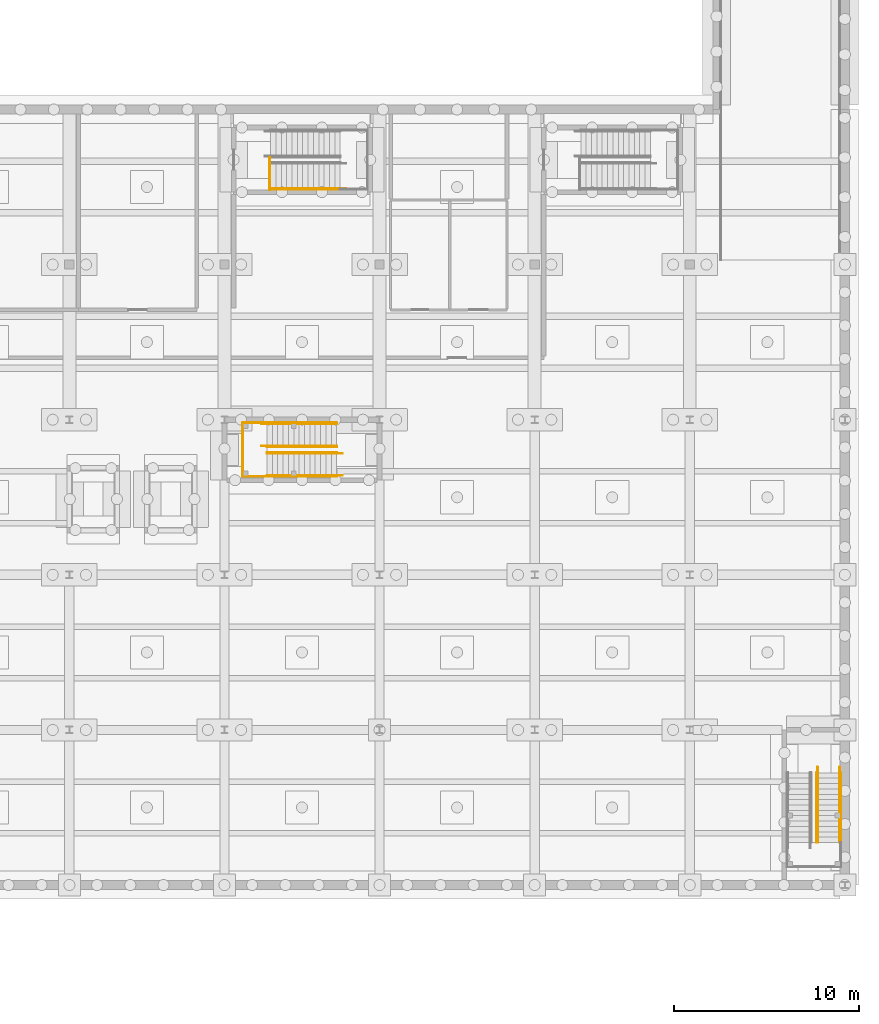
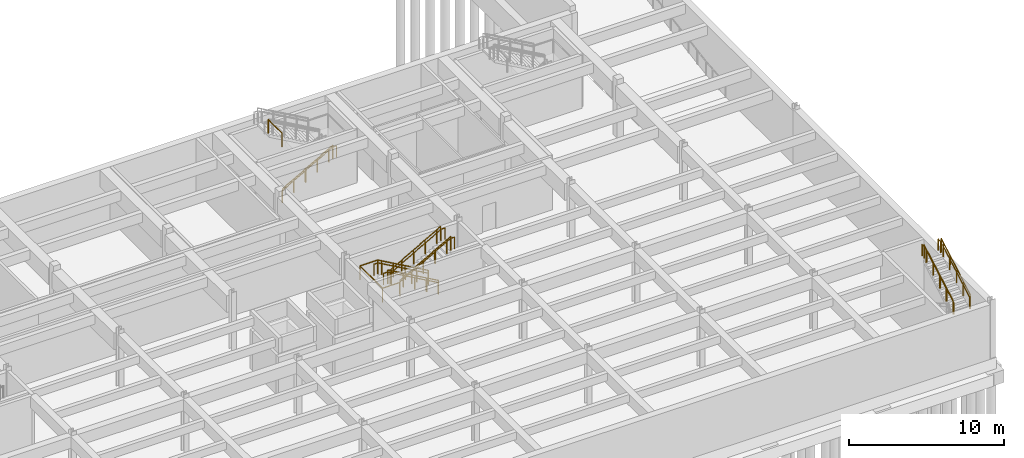
# One storey, part 30 of 33: 18 railings.
"""IFC4 building model written with IfcOpenShell, lengths in metres."""

from ifc_helpers import new_model, si_unit, direction, frame, origin, origin_2d, place, context, subcontext, project, spatial, circle, extrude, material, type_object, element, save


model = new_model("IFC4")

# Units and contexts
model_context = context("Model", 3, precision=1e-05, world=origin(), true_north=direction((0.0, 1.0)))
body_context = subcontext(model_context, "Body", "Model", "MODEL_VIEW")
ifc_project = project(units=[si_unit("LENGTHUNIT", "METRE"), si_unit("AREAUNIT", "SQUARE_METRE"), si_unit("VOLUMEUNIT", "CUBIC_METRE"), si_unit("PLANEANGLEUNIT", "RADIAN"), si_unit("MASSUNIT", "GRAM", prefix="KILO")], contexts=[model_context])

# Site, building, storey
site_placement = place(None, origin())
site = spatial("IfcSite", under=ifc_project, at=site_placement, CompositionType="ELEMENT")
building_placement = place(site_placement, origin())
building = spatial("IfcBuilding", under=site, at=building_placement, Name="Ljudholm Concert House", CompositionType="ELEMENT")
storey_placement = place(building_placement, frame((0.0, 0.0, -4.60009765625)))
storey = spatial("IfcBuildingStorey", under=building, at=storey_placement, Name="B1", CompositionType="ELEMENT", Elevation=-4.60009765625)

# Railings
ifc_material_1 = material(Name="Steel ASTM A36", Category="steel")
railing_type_1 = type_object("IfcRailingType", Name="GUARD 1100", PredefinedType="GUARDRAIL", material=ifc_material_1)
railing_1_placement = place(storey_placement, frame((90.5, 142.47509765625, 0.164306640625)))
element("IfcRailing", 1, at=railing_1_placement, inside=storey, type_object=railing_type_1, Name="Guard", PredefinedType="GUARDRAIL", context=body_context, shape_type="SweptSolid", body=[
    extrude(circle(Radius=0.02490234375, at=origin_2d()), frame((0.0, 0.0, 1.0751953125), z_axis=(0.870085008278, 0.0, 0.4929016924), x_axis=(0.0, 1.0, 0.0)), (0.0, 0.0, 1.0), 1.0),
    extrude(circle(Radius=0.02490234375, at=origin_2d()), frame((0.8701171875, 0.0, 1.56787109375), z_axis=(0.870025677096, 0.0, 0.493006410906), x_axis=(0.0, 1.0, 0.0)), (0.0, 0.0, 1.0), 0.999755859375),
    extrude(circle(Radius=0.02490234375, at=origin_2d()), frame((1.739990234375, 0.0, 2.06103515625), z_axis=(0.870085008278, 0.0, 0.4929016924), x_axis=(0.0, 1.0, 0.0)), (0.0, 0.0, 1.0), 1.0),
    extrude(circle(Radius=0.02490234375, at=origin_2d()), frame((2.610107421875, 0.0, 2.5537109375), z_axis=(0.870130407247, 0.0, 0.492821544155), x_axis=(0.0, 1.0, 0.0)), (0.0, 0.0, 1.0), 0.999755859375),
    extrude(circle(Radius=0.02490234375, at=origin_2d()), frame((3.47998046875, 0.0, 3.04638671875), z_axis=(0.870085008278, 0.0, 0.4929016924), x_axis=(0.0, 1.0, 0.0)), (0.0, 0.0, 1.0), 0.333251953125),
    extrude(circle(Radius=0.02099609375, at=origin_2d()), origin(), (0.0, 0.0, 1.0), 1.050048828125),
    extrude(circle(Radius=0.02099609375, at=origin_2d()), frame((0.8701171875, 0.0, 0.492919921875)), (0.0, 0.0, 1.0), 1.050048828125),
    extrude(circle(Radius=0.02099609375, at=origin_2d()), frame((1.739990234375, 0.0, 0.98583984375)), (0.0, 0.0, 1.0), 1.050048828125),
    extrude(circle(Radius=0.02099609375, at=origin_2d()), frame((2.610107421875, 0.0, 1.478759765625)), (0.0, 0.0, 1.0), 1.050048828125),
    extrude(circle(Radius=0.02099609375, at=origin_2d()), frame((3.47998046875, 0.0, 1.971435546875)), (0.0, 0.0, 1.0), 1.050048828125),
    extrude(circle(Radius=0.02099609375, at=origin_2d()), frame((3.77001953125, 0.0, 2.1357421875)), (0.0, 0.0, 1.0), 1.050048828125),
])
railing_2_placement = place(storey_placement, frame((90.449951171875, 142.449951171875, 4.60009765625)))
element("IfcRailing", 2, at=railing_2_placement, inside=storey, type_object=railing_type_1, Name="Guard", PredefinedType="GUARDRAIL", context=body_context, shape_type="SweptSolid", body=[
    extrude(circle(Radius=0.02490234375, at=origin_2d()), frame((0.0, 0.0, 1.0751953125), z_axis=(0.0, 1.0, 0.0), x_axis=(-1.0, 0.0, 0.0)), (0.0, 0.0, 1.0), 1.75),
    extrude(circle(Radius=0.02099609375, at=origin_2d()), origin(), (0.0, 0.0, 1.0), 1.050048828125),
    extrude(circle(Radius=0.02099609375, at=origin_2d()), frame((0.0, 1.75, 0.0)), (0.0, 0.0, 1.0), 1.050048828125),
])
railing_3_placement = place(storey_placement, frame((94.074951171875, 128.52490234375, 0.164306640625)))
element("IfcRailing", 3, at=railing_3_placement, inside=storey, type_object=railing_type_1, Name="Guard", PredefinedType="GUARDRAIL", context=body_context, shape_type="SweptSolid", body=[
    extrude(circle(Radius=0.02490234375, at=origin_2d()), frame((0.0, 0.0, 1.0751953125), z_axis=(-0.870025677096, 0.0, 0.493006410906), x_axis=(0.0, -1.0, 0.0)), (0.0, 0.0, 1.0), 0.999755859375),
    extrude(circle(Radius=0.02490234375, at=origin_2d()), frame((-0.869873046875, 0.0, 1.56787109375), z_axis=(-0.870085008278, 0.0, 0.4929016924), x_axis=(0.0, -1.0, 0.0)), (0.0, 0.0, 1.0), 1.0),
    extrude(circle(Radius=0.02490234375, at=origin_2d()), frame((-1.739990234375, 0.0, 2.06103515625), z_axis=(-0.870025677096, 0.0, 0.493006410906), x_axis=(0.0, -1.0, 0.0)), (0.0, 0.0, 1.0), 0.999755859375),
    extrude(circle(Radius=0.02490234375, at=origin_2d()), frame((-2.60986328125, 0.0, 2.5537109375), z_axis=(-0.870189701074, 0.0, 0.492716839721), x_axis=(0.0, -1.0, 0.0)), (0.0, 0.0, 1.0), 1.0),
    extrude(circle(Radius=0.02490234375, at=origin_2d()), frame((-3.47998046875, 0.0, 3.04638671875), z_axis=(-0.870085008278, 0.0, 0.4929016924), x_axis=(0.0, -1.0, 0.0)), (0.0, 0.0, 1.0), 0.333251953125),
    extrude(circle(Radius=0.02099609375, at=origin_2d()), origin(), (0.0, 0.0, 1.0), 1.050048828125),
    extrude(circle(Radius=0.02099609375, at=origin_2d()), frame((-0.869873046875, 0.0, 0.492919921875)), (0.0, 0.0, 1.0), 1.050048828125),
    extrude(circle(Radius=0.02099609375, at=origin_2d()), frame((-1.739990234375, 0.0, 0.98583984375)), (0.0, 0.0, 1.0), 1.050048828125),
    extrude(circle(Radius=0.02099609375, at=origin_2d()), frame((-2.60986328125, 0.0, 1.478759765625)), (0.0, 0.0, 1.0), 1.050048828125),
    extrude(circle(Radius=0.02099609375, at=origin_2d()), frame((-3.47998046875, 0.0, 1.971435546875)), (0.0, 0.0, 1.0), 1.050048828125),
    extrude(circle(Radius=0.02099609375, at=origin_2d()), frame((-3.77001953125, 0.0, 2.1357421875)), (0.0, 0.0, 1.0), 1.050048828125),
])
railing_4_placement = place(storey_placement, frame((94.074951171875, 129.824951171875, 0.164306640625)))
element("IfcRailing", 4, at=railing_4_placement, inside=storey, type_object=railing_type_1, Name="Guard", PredefinedType="GUARDRAIL", context=body_context, shape_type="SweptSolid", body=[
    extrude(circle(Radius=0.02490234375, at=origin_2d()), frame((0.0, 0.0, 1.0751953125), z_axis=(-0.870025677096, 0.0, 0.493006410906), x_axis=(0.0, -1.0, 0.0)), (0.0, 0.0, 1.0), 0.999755859375),
    extrude(circle(Radius=0.02490234375, at=origin_2d()), frame((-0.869873046875, 0.0, 1.56787109375), z_axis=(-0.870085008278, 0.0, 0.4929016924), x_axis=(0.0, -1.0, 0.0)), (0.0, 0.0, 1.0), 1.0),
    extrude(circle(Radius=0.02490234375, at=origin_2d()), frame((-1.739990234375, 0.0, 2.06103515625), z_axis=(-0.870025677096, 0.0, 0.493006410906), x_axis=(0.0, -1.0, 0.0)), (0.0, 0.0, 1.0), 0.999755859375),
    extrude(circle(Radius=0.02490234375, at=origin_2d()), frame((-2.60986328125, 0.0, 2.5537109375), z_axis=(-0.870189701074, 0.0, 0.492716839721), x_axis=(0.0, -1.0, 0.0)), (0.0, 0.0, 1.0), 1.0),
    extrude(circle(Radius=0.02490234375, at=origin_2d()), frame((-3.47998046875, 0.0, 3.04638671875), z_axis=(-0.870085008278, 0.0, 0.4929016924), x_axis=(0.0, -1.0, 0.0)), (0.0, 0.0, 1.0), 0.333251953125),
    extrude(circle(Radius=0.02099609375, at=origin_2d()), origin(), (0.0, 0.0, 1.0), 1.050048828125),
    extrude(circle(Radius=0.02099609375, at=origin_2d()), frame((-0.869873046875, 0.0, 0.492919921875)), (0.0, 0.0, 1.0), 1.050048828125),
    extrude(circle(Radius=0.02099609375, at=origin_2d()), frame((-1.739990234375, 0.0, 0.98583984375)), (0.0, 0.0, 1.0), 1.050048828125),
    extrude(circle(Radius=0.02099609375, at=origin_2d()), frame((-2.60986328125, 0.0, 1.478759765625)), (0.0, 0.0, 1.0), 1.050048828125),
    extrude(circle(Radius=0.02099609375, at=origin_2d()), frame((-3.47998046875, 0.0, 1.971435546875)), (0.0, 0.0, 1.0), 1.050048828125),
    extrude(circle(Radius=0.02099609375, at=origin_2d()), frame((-3.77001953125, 0.0, 2.1357421875)), (0.0, 0.0, 1.0), 1.050048828125),
])
railing_5_placement = place(storey_placement, frame((90.304931640625, 128.22509765625, 2.46435546875)))
element("IfcRailing", 5, at=railing_5_placement, inside=storey, type_object=railing_type_1, Name="Guard", PredefinedType="GUARDRAIL", context=body_context, shape_type="SweptSolid", body=[
    extrude(circle(Radius=0.02490234375, at=origin_2d()), frame((0.0, 0.0, 1.0751953125), z_axis=(0.870085008278, 0.0, 0.4929016924), x_axis=(0.0, 1.0, 0.0)), (0.0, 0.0, 1.0), 1.0),
    extrude(circle(Radius=0.02490234375, at=origin_2d()), frame((0.8701171875, 0.0, 1.56787109375), z_axis=(0.870025677096, 0.0, 0.493006410906), x_axis=(0.0, 1.0, 0.0)), (0.0, 0.0, 1.0), 0.999755859375),
    extrude(circle(Radius=0.02490234375, at=origin_2d()), frame((1.739990234375, 0.0, 2.06103515625), z_axis=(0.870189701074, 0.0, 0.492716839721), x_axis=(0.0, 1.0, 0.0)), (0.0, 0.0, 1.0), 1.0),
    extrude(circle(Radius=0.02490234375, at=origin_2d()), frame((2.610107421875, 0.0, 2.5537109375), z_axis=(0.870025677096, 0.0, 0.493006410906), x_axis=(0.0, 1.0, 0.0)), (0.0, 0.0, 1.0), 0.999755859375),
    extrude(circle(Radius=0.02490234375, at=origin_2d()), frame((3.47998046875, 0.0, 3.04638671875), z_axis=(0.870085008278, 0.0, 0.4929016924), x_axis=(0.0, 1.0, 0.0)), (0.0, 0.0, 1.0), 0.333251953125),
    extrude(circle(Radius=0.02099609375, at=origin_2d()), origin(), (0.0, 0.0, 1.0), 1.050048828125),
    extrude(circle(Radius=0.02099609375, at=origin_2d()), frame((0.8701171875, 0.0, 0.492919921875)), (0.0, 0.0, 1.0), 1.050048828125),
    extrude(circle(Radius=0.02099609375, at=origin_2d()), frame((1.739990234375, 0.0, 0.98583984375)), (0.0, 0.0, 1.0), 1.050048828125),
    extrude(circle(Radius=0.02099609375, at=origin_2d()), frame((2.610107421875, 0.0, 1.478515625)), (0.0, 0.0, 1.0), 1.050048828125),
    extrude(circle(Radius=0.02099609375, at=origin_2d()), frame((3.47998046875, 0.0, 1.971435546875)), (0.0, 0.0, 1.0), 1.050048828125),
    extrude(circle(Radius=0.02099609375, at=origin_2d()), frame((3.77001953125, 0.0, 2.1357421875)), (0.0, 0.0, 1.0), 1.050048828125),
])
railing_6_placement = place(storey_placement, frame((90.304931640625, 126.925048828125, 2.46435546875)))
element("IfcRailing", 6, at=railing_6_placement, inside=storey, type_object=railing_type_1, Name="Guard", PredefinedType="GUARDRAIL", context=body_context, shape_type="SweptSolid", body=[
    extrude(circle(Radius=0.02490234375, at=origin_2d()), frame((0.0, 0.0, 1.0751953125), z_axis=(0.870085008278, 0.0, 0.4929016924), x_axis=(0.0, 1.0, 0.0)), (0.0, 0.0, 1.0), 1.0),
    extrude(circle(Radius=0.02490234375, at=origin_2d()), frame((0.8701171875, 0.0, 1.56787109375), z_axis=(0.870025677096, 0.0, 0.493006410906), x_axis=(0.0, 1.0, 0.0)), (0.0, 0.0, 1.0), 0.999755859375),
    extrude(circle(Radius=0.02490234375, at=origin_2d()), frame((1.739990234375, 0.0, 2.06103515625), z_axis=(0.870189701074, 0.0, 0.492716839721), x_axis=(0.0, 1.0, 0.0)), (0.0, 0.0, 1.0), 1.0),
    extrude(circle(Radius=0.02490234375, at=origin_2d()), frame((2.610107421875, 0.0, 2.5537109375), z_axis=(0.870025677096, 0.0, 0.493006410906), x_axis=(0.0, 1.0, 0.0)), (0.0, 0.0, 1.0), 0.999755859375),
    extrude(circle(Radius=0.02490234375, at=origin_2d()), frame((3.47998046875, 0.0, 3.04638671875), z_axis=(0.870085008278, 0.0, 0.4929016924), x_axis=(0.0, 1.0, 0.0)), (0.0, 0.0, 1.0), 0.333251953125),
    extrude(circle(Radius=0.02099609375, at=origin_2d()), origin(), (0.0, 0.0, 1.0), 1.050048828125),
    extrude(circle(Radius=0.02099609375, at=origin_2d()), frame((0.8701171875, 0.0, 0.492919921875)), (0.0, 0.0, 1.0), 1.050048828125),
    extrude(circle(Radius=0.02099609375, at=origin_2d()), frame((1.739990234375, 0.0, 0.98583984375)), (0.0, 0.0, 1.0), 1.050048828125),
    extrude(circle(Radius=0.02099609375, at=origin_2d()), frame((2.610107421875, 0.0, 1.478515625)), (0.0, 0.0, 1.0), 1.050048828125),
    extrude(circle(Radius=0.02099609375, at=origin_2d()), frame((3.47998046875, 0.0, 1.971435546875)), (0.0, 0.0, 1.0), 1.050048828125),
    extrude(circle(Radius=0.02099609375, at=origin_2d()), frame((3.77001953125, 0.0, 2.1357421875)), (0.0, 0.0, 1.0), 1.050048828125),
])
for number, where, name in (
    (7, (90.304931640625, 129.824951171875, 2.300048828125), "Guard"),
    (8, (90.304931640625, 126.925048828125, 2.300048828125), "Guard"),
):
    element("IfcRailing", number, at=place(storey_placement, frame(where)), inside=storey, type_object=railing_type_1, Name=name, PredefinedType="GUARDRAIL", context=body_context, shape_type="SweptSolid", body=[
        extrude(circle(Radius=0.02490234375, at=origin_2d()), frame((0.0, 0.0, 1.0751953125), z_axis=(-1.0, 0.0, 0.0), x_axis=(0.0, -1.0, 0.0)), (0.0, 0.0, 1.0), 1.324951171875),
        extrude(circle(Radius=0.02099609375, at=origin_2d()), origin(), (0.0, 0.0, 1.0), 1.050048828125),
        extrude(circle(Radius=0.02099609375, at=origin_2d()), frame((-1.324951171875, 0.0, 0.0)), (0.0, 0.0, 1.0), 1.050048828125),
    ])
railing_7_placement = place(storey_placement, frame((88.97998046875, 129.824951171875, 2.300048828125)))
element("IfcRailing", 9, at=railing_7_placement, inside=storey, type_object=railing_type_1, Name="Guard", PredefinedType="GUARDRAIL", context=body_context, shape_type="SweptSolid", body=[
    extrude(circle(Radius=0.02490234375, at=origin_2d()), frame((0.0, 0.0, 1.0751953125), z_axis=(0.0, -1.0, 0.0), x_axis=(1.0, 0.0, 0.0)), (0.0, 0.0, 1.0), 2.89990234375),
    extrude(circle(Radius=0.02099609375, at=origin_2d()), origin(), (0.0, 0.0, 1.0), 1.050048828125),
    extrude(circle(Radius=0.02099609375, at=origin_2d()), frame((0.0, -2.89990234375, 0.0)), (0.0, 0.0, 1.0), 1.050048828125),
])
railing_8_placement = place(storey_placement, frame((120.074951171875, 107.10498046875, 2.46435546875)))
element("IfcRailing", 10, at=railing_8_placement, inside=storey, type_object=railing_type_1, Name="Guard", PredefinedType="GUARDRAIL", context=body_context, shape_type="SweptSolid", body=[
    extrude(circle(Radius=0.02490234375, at=origin_2d()), frame((0.0, 0.0, 1.0751953125), z_axis=(0.0, 0.870085008278, 0.4929016924), x_axis=(-1.0, 0.0, 0.0)), (0.0, 0.0, 1.0), 1.0),
    extrude(circle(Radius=0.02490234375, at=origin_2d()), frame((0.0, 0.8701171875, 1.56787109375), z_axis=(0.0, 0.870025677096, 0.493006410906), x_axis=(-1.0, 0.0, 0.0)), (0.0, 0.0, 1.0), 0.999755859375),
    extrude(circle(Radius=0.02490234375, at=origin_2d()), frame((0.0, 1.739990234375, 2.06103515625), z_axis=(0.0, 0.870189701074, 0.492716839721), x_axis=(-1.0, 0.0, 0.0)), (0.0, 0.0, 1.0), 1.0),
    extrude(circle(Radius=0.02490234375, at=origin_2d()), frame((0.0, 2.610107421875, 2.5537109375), z_axis=(0.0, 0.870025677096, 0.493006410906), x_axis=(-1.0, 0.0, 0.0)), (0.0, 0.0, 1.0), 0.999755859375),
    extrude(circle(Radius=0.02490234375, at=origin_2d()), frame((0.0, 3.47998046875, 3.04638671875), z_axis=(0.0, 0.870085008278, 0.4929016924), x_axis=(-1.0, 0.0, 0.0)), (0.0, 0.0, 1.0), 0.333251953125),
    extrude(circle(Radius=0.02099609375, at=origin_2d()), origin(), (0.0, 0.0, 1.0), 1.050048828125),
    extrude(circle(Radius=0.02099609375, at=origin_2d()), frame((0.0, 0.8701171875, 0.492919921875)), (0.0, 0.0, 1.0), 1.050048828125),
    extrude(circle(Radius=0.02099609375, at=origin_2d()), frame((0.0, 1.739990234375, 0.98583984375)), (0.0, 0.0, 1.0), 1.050048828125),
    extrude(circle(Radius=0.02099609375, at=origin_2d()), frame((0.0, 2.610107421875, 1.478515625)), (0.0, 0.0, 1.0), 1.050048828125),
    extrude(circle(Radius=0.02099609375, at=origin_2d()), frame((0.0, 3.47998046875, 1.971435546875)), (0.0, 0.0, 1.0), 1.050048828125),
    extrude(circle(Radius=0.02099609375, at=origin_2d()), frame((0.0, 3.77001953125, 2.1357421875)), (0.0, 0.0, 1.0), 1.050048828125),
])
railing_9_placement = place(storey_placement, frame((121.375, 107.10498046875, 2.46435546875)))
element("IfcRailing", 11, at=railing_9_placement, inside=storey, type_object=railing_type_1, Name="Guard", PredefinedType="GUARDRAIL", context=body_context, shape_type="SweptSolid", body=[
    extrude(circle(Radius=0.02490234375, at=origin_2d()), frame((0.0, 0.0, 1.0751953125), z_axis=(0.0, 0.870085008278, 0.4929016924), x_axis=(-1.0, 0.0, 0.0)), (0.0, 0.0, 1.0), 1.0),
    extrude(circle(Radius=0.02490234375, at=origin_2d()), frame((0.0, 0.8701171875, 1.56787109375), z_axis=(0.0, 0.870025677096, 0.493006410906), x_axis=(-1.0, 0.0, 0.0)), (0.0, 0.0, 1.0), 0.999755859375),
    extrude(circle(Radius=0.02490234375, at=origin_2d()), frame((0.0, 1.739990234375, 2.06103515625), z_axis=(0.0, 0.870189701074, 0.492716839721), x_axis=(-1.0, 0.0, 0.0)), (0.0, 0.0, 1.0), 1.0),
    extrude(circle(Radius=0.02490234375, at=origin_2d()), frame((0.0, 2.610107421875, 2.5537109375), z_axis=(0.0, 0.870025677096, 0.493006410906), x_axis=(-1.0, 0.0, 0.0)), (0.0, 0.0, 1.0), 0.999755859375),
    extrude(circle(Radius=0.02490234375, at=origin_2d()), frame((0.0, 3.47998046875, 3.04638671875), z_axis=(0.0, 0.870085008278, 0.4929016924), x_axis=(-1.0, 0.0, 0.0)), (0.0, 0.0, 1.0), 0.333251953125),
    extrude(circle(Radius=0.02099609375, at=origin_2d()), origin(), (0.0, 0.0, 1.0), 1.050048828125),
    extrude(circle(Radius=0.02099609375, at=origin_2d()), frame((0.0, 0.8701171875, 0.492919921875)), (0.0, 0.0, 1.0), 1.050048828125),
    extrude(circle(Radius=0.02099609375, at=origin_2d()), frame((0.0, 1.739990234375, 0.98583984375)), (0.0, 0.0, 1.0), 1.050048828125),
    extrude(circle(Radius=0.02099609375, at=origin_2d()), frame((0.0, 2.610107421875, 1.478515625)), (0.0, 0.0, 1.0), 1.050048828125),
    extrude(circle(Radius=0.02099609375, at=origin_2d()), frame((0.0, 3.47998046875, 1.971435546875)), (0.0, 0.0, 1.0), 1.050048828125),
    extrude(circle(Radius=0.02099609375, at=origin_2d()), frame((0.0, 3.77001953125, 2.1357421875)), (0.0, 0.0, 1.0), 1.050048828125),
])
ifc_material_2 = material(Name="Steel ASTM A36", Category="steel")
railing_type_2 = type_object("IfcRailingType", Name="HANDRAIL 900", PredefinedType="HANDRAIL", material=ifc_material_2)
railing_10_placement = place(storey_placement, frame((90.5, 142.52490234375, 0.164306640625)))
element("IfcRailing", 12, at=railing_10_placement, inside=storey, type_object=railing_type_2, Name="Handrail", PredefinedType="HANDRAIL", context=body_context, shape_type="SweptSolid", body=[
    extrude(circle(Radius=0.0224609375, at=origin_2d()), frame((0.0, 0.0, 0.87744140625), z_axis=(0.870085008278, 0.0, 0.4929016924), x_axis=(0.0, 1.0, 0.0)), (0.0, 0.0, 1.0), 1.0),
    extrude(circle(Radius=0.0224609375, at=origin_2d()), frame((0.8701171875, 0.0, 1.370361328125), z_axis=(0.870025677096, 0.0, 0.493006410906), x_axis=(0.0, 1.0, 0.0)), (0.0, 0.0, 1.0), 0.999755859375),
    extrude(circle(Radius=0.0224609375, at=origin_2d()), frame((1.739990234375, 0.0, 1.86328125), z_axis=(0.870085008278, 0.0, 0.4929016924), x_axis=(0.0, 1.0, 0.0)), (0.0, 0.0, 1.0), 1.0),
    extrude(circle(Radius=0.0224609375, at=origin_2d()), frame((2.610107421875, 0.0, 2.356201171875), z_axis=(0.870130407247, 0.0, 0.492821544155), x_axis=(0.0, 1.0, 0.0)), (0.0, 0.0, 1.0), 0.999755859375),
    extrude(circle(Radius=0.0224609375, at=origin_2d()), frame((3.47998046875, 0.0, 2.848876953125), z_axis=(0.870085008278, 0.0, 0.4929016924), x_axis=(0.0, 1.0, 0.0)), (0.0, 0.0, 1.0), 0.333251953125),
    extrude(circle(Radius=0.0224609375, at=origin_2d()), frame((3.77001953125, 0.0, 3.01318359375), z_axis=(1.0, 0.0, 0.0), x_axis=(0.0, 1.0, 0.0)), (0.0, 0.0, 1.0), 0.300048828125),
    extrude(circle(Radius=0.02099609375, at=origin_2d()), origin(), (0.0, 0.0, 1.0), 0.85498046875),
    extrude(circle(Radius=0.02099609375, at=origin_2d()), frame((0.8701171875, 0.0, 0.492919921875)), (0.0, 0.0, 1.0), 0.85498046875),
    extrude(circle(Radius=0.02099609375, at=origin_2d()), frame((1.739990234375, 0.0, 0.98583984375)), (0.0, 0.0, 1.0), 0.85498046875),
    extrude(circle(Radius=0.02099609375, at=origin_2d()), frame((2.610107421875, 0.0, 1.478759765625)), (0.0, 0.0, 1.0), 0.85498046875),
    extrude(circle(Radius=0.02099609375, at=origin_2d()), frame((3.47998046875, 0.0, 1.971435546875)), (0.0, 0.0, 1.0), 0.85498046875),
    extrude(circle(Radius=0.02099609375, at=origin_2d()), frame((3.77001953125, 0.0, 2.1357421875)), (0.0, 0.0, 1.0), 0.85498046875),
    extrude(circle(Radius=0.02099609375, at=origin_2d()), frame((4.070068359375, 0.0, 2.1357421875)), (0.0, 0.0, 1.0), 0.85498046875),
])
railing_11_placement = place(storey_placement, frame((94.074951171875, 128.574951171875, 0.164306640625)))
element("IfcRailing", 13, at=railing_11_placement, inside=storey, type_object=railing_type_2, Name="Handrail", PredefinedType="HANDRAIL", context=body_context, shape_type="SweptSolid", body=[
    extrude(circle(Radius=0.0224609375, at=origin_2d()), frame((0.0, 0.0, 0.87744140625), z_axis=(-0.870025677096, 0.0, 0.493006410906), x_axis=(0.0, -1.0, 0.0)), (0.0, 0.0, 1.0), 0.999755859375),
    extrude(circle(Radius=0.0224609375, at=origin_2d()), frame((-0.869873046875, 0.0, 1.370361328125), z_axis=(-0.870085008278, 0.0, 0.4929016924), x_axis=(0.0, -1.0, 0.0)), (0.0, 0.0, 1.0), 1.0),
    extrude(circle(Radius=0.0224609375, at=origin_2d()), frame((-1.739990234375, 0.0, 1.86328125), z_axis=(-0.870025677096, 0.0, 0.493006410906), x_axis=(0.0, -1.0, 0.0)), (0.0, 0.0, 1.0), 0.999755859375),
    extrude(circle(Radius=0.0224609375, at=origin_2d()), frame((-2.60986328125, 0.0, 2.356201171875), z_axis=(-0.870189701074, 0.0, 0.492716839721), x_axis=(0.0, -1.0, 0.0)), (0.0, 0.0, 1.0), 1.0),
    extrude(circle(Radius=0.0224609375, at=origin_2d()), frame((-3.47998046875, 0.0, 2.848876953125), z_axis=(-0.870085008278, 0.0, 0.4929016924), x_axis=(0.0, -1.0, 0.0)), (0.0, 0.0, 1.0), 0.333251953125),
    extrude(circle(Radius=0.0224609375, at=origin_2d()), frame((-3.77001953125, 0.0, 3.01318359375), z_axis=(-1.0, 0.0, 0.0), x_axis=(0.0, -1.0, 0.0)), (0.0, 0.0, 1.0), 0.300048828125),
    extrude(circle(Radius=0.02099609375, at=origin_2d()), origin(), (0.0, 0.0, 1.0), 0.85498046875),
    extrude(circle(Radius=0.02099609375, at=origin_2d()), frame((-0.869873046875, 0.0, 0.492919921875)), (0.0, 0.0, 1.0), 0.85498046875),
    extrude(circle(Radius=0.02099609375, at=origin_2d()), frame((-1.739990234375, 0.0, 0.98583984375)), (0.0, 0.0, 1.0), 0.85498046875),
    extrude(circle(Radius=0.02099609375, at=origin_2d()), frame((-2.60986328125, 0.0, 1.478759765625)), (0.0, 0.0, 1.0), 0.85498046875),
    extrude(circle(Radius=0.02099609375, at=origin_2d()), frame((-3.47998046875, 0.0, 1.971435546875)), (0.0, 0.0, 1.0), 0.85498046875),
    extrude(circle(Radius=0.02099609375, at=origin_2d()), frame((-3.77001953125, 0.0, 2.1357421875)), (0.0, 0.0, 1.0), 0.85498046875),
    extrude(circle(Radius=0.02099609375, at=origin_2d()), frame((-4.070068359375, 0.0, 2.1357421875)), (0.0, 0.0, 1.0), 0.85498046875),
])
railing_12_placement = place(storey_placement, frame((94.074951171875, 129.77490234375, 0.164306640625)))
element("IfcRailing", 14, at=railing_12_placement, inside=storey, type_object=railing_type_2, Name="Handrail", PredefinedType="HANDRAIL", context=body_context, shape_type="SweptSolid", body=[
    extrude(circle(Radius=0.0224609375, at=origin_2d()), frame((0.0, 0.0, 0.87744140625), z_axis=(-0.870025677096, 0.0, 0.493006410906), x_axis=(0.0, -1.0, 0.0)), (0.0, 0.0, 1.0), 0.999755859375),
    extrude(circle(Radius=0.0224609375, at=origin_2d()), frame((-0.869873046875, 0.0, 1.370361328125), z_axis=(-0.870085008278, 0.0, 0.4929016924), x_axis=(0.0, -1.0, 0.0)), (0.0, 0.0, 1.0), 1.0),
    extrude(circle(Radius=0.0224609375, at=origin_2d()), frame((-1.739990234375, 0.0, 1.86328125), z_axis=(-0.870025677096, 0.0, 0.493006410906), x_axis=(0.0, -1.0, 0.0)), (0.0, 0.0, 1.0), 0.999755859375),
    extrude(circle(Radius=0.0224609375, at=origin_2d()), frame((-2.60986328125, 0.0, 2.356201171875), z_axis=(-0.870189701074, 0.0, 0.492716839721), x_axis=(0.0, -1.0, 0.0)), (0.0, 0.0, 1.0), 1.0),
    extrude(circle(Radius=0.0224609375, at=origin_2d()), frame((-3.47998046875, 0.0, 2.848876953125), z_axis=(-0.870085008278, 0.0, 0.4929016924), x_axis=(0.0, -1.0, 0.0)), (0.0, 0.0, 1.0), 0.333251953125),
    extrude(circle(Radius=0.0224609375, at=origin_2d()), frame((-3.77001953125, 0.0, 3.01318359375), z_axis=(-1.0, 0.0, 0.0), x_axis=(0.0, -1.0, 0.0)), (0.0, 0.0, 1.0), 0.300048828125),
    extrude(circle(Radius=0.02099609375, at=origin_2d()), origin(), (0.0, 0.0, 1.0), 0.85498046875),
    extrude(circle(Radius=0.02099609375, at=origin_2d()), frame((-0.869873046875, 0.0, 0.492919921875)), (0.0, 0.0, 1.0), 0.85498046875),
    extrude(circle(Radius=0.02099609375, at=origin_2d()), frame((-1.739990234375, 0.0, 0.98583984375)), (0.0, 0.0, 1.0), 0.85498046875),
    extrude(circle(Radius=0.02099609375, at=origin_2d()), frame((-2.60986328125, 0.0, 1.478759765625)), (0.0, 0.0, 1.0), 0.85498046875),
    extrude(circle(Radius=0.02099609375, at=origin_2d()), frame((-3.47998046875, 0.0, 1.971435546875)), (0.0, 0.0, 1.0), 0.85498046875),
    extrude(circle(Radius=0.02099609375, at=origin_2d()), frame((-3.77001953125, 0.0, 2.1357421875)), (0.0, 0.0, 1.0), 0.85498046875),
    extrude(circle(Radius=0.02099609375, at=origin_2d()), frame((-4.070068359375, 0.0, 2.1357421875)), (0.0, 0.0, 1.0), 0.85498046875),
])
railing_13_placement = place(storey_placement, frame((90.304931640625, 128.175048828125, 2.46435546875)))
element("IfcRailing", 15, at=railing_13_placement, inside=storey, type_object=railing_type_2, Name="Handrail", PredefinedType="HANDRAIL", context=body_context, shape_type="SweptSolid", body=[
    extrude(circle(Radius=0.0224609375, at=origin_2d()), frame((0.0, 0.0, 0.87744140625), z_axis=(0.870085008278, 0.0, 0.4929016924), x_axis=(0.0, 1.0, 0.0)), (0.0, 0.0, 1.0), 1.0),
    extrude(circle(Radius=0.0224609375, at=origin_2d()), frame((0.8701171875, 0.0, 1.370361328125), z_axis=(0.870025677096, 0.0, 0.493006410906), x_axis=(0.0, 1.0, 0.0)), (0.0, 0.0, 1.0), 0.999755859375),
    extrude(circle(Radius=0.0224609375, at=origin_2d()), frame((1.739990234375, 0.0, 1.86328125), z_axis=(0.870189701074, 0.0, 0.492716839721), x_axis=(0.0, 1.0, 0.0)), (0.0, 0.0, 1.0), 1.0),
    extrude(circle(Radius=0.0224609375, at=origin_2d()), frame((2.610107421875, 0.0, 2.35595703125), z_axis=(0.870025677096, 0.0, 0.493006410906), x_axis=(0.0, 1.0, 0.0)), (0.0, 0.0, 1.0), 0.999755859375),
    extrude(circle(Radius=0.0224609375, at=origin_2d()), frame((3.47998046875, 0.0, 2.848876953125), z_axis=(0.870085008278, 0.0, 0.4929016924), x_axis=(0.0, 1.0, 0.0)), (0.0, 0.0, 1.0), 0.333251953125),
    extrude(circle(Radius=0.0224609375, at=origin_2d()), frame((3.77001953125, 0.0, 3.01318359375), z_axis=(1.0, 0.0, 0.0), x_axis=(0.0, 1.0, 0.0)), (0.0, 0.0, 1.0), 0.300048828125),
    extrude(circle(Radius=0.02099609375, at=origin_2d()), origin(), (0.0, 0.0, 1.0), 0.85498046875),
    extrude(circle(Radius=0.02099609375, at=origin_2d()), frame((0.8701171875, 0.0, 0.492919921875)), (0.0, 0.0, 1.0), 0.85498046875),
    extrude(circle(Radius=0.02099609375, at=origin_2d()), frame((1.739990234375, 0.0, 0.98583984375)), (0.0, 0.0, 1.0), 0.85498046875),
    extrude(circle(Radius=0.02099609375, at=origin_2d()), frame((2.610107421875, 0.0, 1.478515625)), (0.0, 0.0, 1.0), 0.85498046875),
    extrude(circle(Radius=0.02099609375, at=origin_2d()), frame((3.47998046875, 0.0, 1.971435546875)), (0.0, 0.0, 1.0), 0.85498046875),
    extrude(circle(Radius=0.02099609375, at=origin_2d()), frame((3.77001953125, 0.0, 2.1357421875)), (0.0, 0.0, 1.0), 0.85498046875),
    extrude(circle(Radius=0.02099609375, at=origin_2d()), frame((4.070068359375, 0.0, 2.1357421875)), (0.0, 0.0, 1.0), 0.85498046875),
])
railing_14_placement = place(storey_placement, frame((90.304931640625, 126.97509765625, 2.46435546875)))
element("IfcRailing", 16, at=railing_14_placement, inside=storey, type_object=railing_type_2, Name="Handrail", PredefinedType="HANDRAIL", context=body_context, shape_type="SweptSolid", body=[
    extrude(circle(Radius=0.0224609375, at=origin_2d()), frame((0.0, 0.0, 0.87744140625), z_axis=(0.870085008278, 0.0, 0.4929016924), x_axis=(0.0, 1.0, 0.0)), (0.0, 0.0, 1.0), 1.0),
    extrude(circle(Radius=0.0224609375, at=origin_2d()), frame((0.8701171875, 0.0, 1.370361328125), z_axis=(0.870025677096, 0.0, 0.493006410906), x_axis=(0.0, 1.0, 0.0)), (0.0, 0.0, 1.0), 0.999755859375),
    extrude(circle(Radius=0.0224609375, at=origin_2d()), frame((1.739990234375, 0.0, 1.86328125), z_axis=(0.870189701074, 0.0, 0.492716839721), x_axis=(0.0, 1.0, 0.0)), (0.0, 0.0, 1.0), 1.0),
    extrude(circle(Radius=0.0224609375, at=origin_2d()), frame((2.610107421875, 0.0, 2.35595703125), z_axis=(0.870025677096, 0.0, 0.493006410906), x_axis=(0.0, 1.0, 0.0)), (0.0, 0.0, 1.0), 0.999755859375),
    extrude(circle(Radius=0.0224609375, at=origin_2d()), frame((3.47998046875, 0.0, 2.848876953125), z_axis=(0.870085008278, 0.0, 0.4929016924), x_axis=(0.0, 1.0, 0.0)), (0.0, 0.0, 1.0), 0.333251953125),
    extrude(circle(Radius=0.0224609375, at=origin_2d()), frame((3.77001953125, 0.0, 3.01318359375), z_axis=(1.0, 0.0, 0.0), x_axis=(0.0, 1.0, 0.0)), (0.0, 0.0, 1.0), 0.300048828125),
    extrude(circle(Radius=0.02099609375, at=origin_2d()), origin(), (0.0, 0.0, 1.0), 0.85498046875),
    extrude(circle(Radius=0.02099609375, at=origin_2d()), frame((0.8701171875, 0.0, 0.492919921875)), (0.0, 0.0, 1.0), 0.85498046875),
    extrude(circle(Radius=0.02099609375, at=origin_2d()), frame((1.739990234375, 0.0, 0.98583984375)), (0.0, 0.0, 1.0), 0.85498046875),
    extrude(circle(Radius=0.02099609375, at=origin_2d()), frame((2.610107421875, 0.0, 1.478515625)), (0.0, 0.0, 1.0), 0.85498046875),
    extrude(circle(Radius=0.02099609375, at=origin_2d()), frame((3.47998046875, 0.0, 1.971435546875)), (0.0, 0.0, 1.0), 0.85498046875),
    extrude(circle(Radius=0.02099609375, at=origin_2d()), frame((3.77001953125, 0.0, 2.1357421875)), (0.0, 0.0, 1.0), 0.85498046875),
    extrude(circle(Radius=0.02099609375, at=origin_2d()), frame((4.070068359375, 0.0, 2.1357421875)), (0.0, 0.0, 1.0), 0.85498046875),
])
railing_15_placement = place(storey_placement, frame((120.125, 107.10498046875, 2.46435546875)))
element("IfcRailing", 17, at=railing_15_placement, inside=storey, type_object=railing_type_2, Name="Handrail", PredefinedType="HANDRAIL", context=body_context, shape_type="SweptSolid", body=[
    extrude(circle(Radius=0.0224609375, at=origin_2d()), frame((0.0, 0.0, 0.87744140625), z_axis=(0.0, 0.870085008278, 0.4929016924), x_axis=(-1.0, 0.0, 0.0)), (0.0, 0.0, 1.0), 1.0),
    extrude(circle(Radius=0.0224609375, at=origin_2d()), frame((0.0, 0.8701171875, 1.370361328125), z_axis=(0.0, 0.870025677096, 0.493006410906), x_axis=(-1.0, 0.0, 0.0)), (0.0, 0.0, 1.0), 0.999755859375),
    extrude(circle(Radius=0.0224609375, at=origin_2d()), frame((0.0, 1.739990234375, 1.86328125), z_axis=(0.0, 0.870189701074, 0.492716839721), x_axis=(-1.0, 0.0, 0.0)), (0.0, 0.0, 1.0), 1.0),
    extrude(circle(Radius=0.0224609375, at=origin_2d()), frame((0.0, 2.610107421875, 2.35595703125), z_axis=(0.0, 0.870025677096, 0.493006410906), x_axis=(-1.0, 0.0, 0.0)), (0.0, 0.0, 1.0), 0.999755859375),
    extrude(circle(Radius=0.0224609375, at=origin_2d()), frame((0.0, 3.47998046875, 2.848876953125), z_axis=(0.0, 0.870085008278, 0.4929016924), x_axis=(-1.0, 0.0, 0.0)), (0.0, 0.0, 1.0), 0.333251953125),
    extrude(circle(Radius=0.0224609375, at=origin_2d()), frame((0.0, 3.77001953125, 3.01318359375), z_axis=(0.0, 1.0, 0.0), x_axis=(-1.0, 0.0, 0.0)), (0.0, 0.0, 1.0), 0.300048828125),
    extrude(circle(Radius=0.02099609375, at=origin_2d()), origin(), (0.0, 0.0, 1.0), 0.85498046875),
    extrude(circle(Radius=0.02099609375, at=origin_2d()), frame((0.0, 0.8701171875, 0.492919921875)), (0.0, 0.0, 1.0), 0.85498046875),
    extrude(circle(Radius=0.02099609375, at=origin_2d()), frame((0.0, 1.739990234375, 0.98583984375)), (0.0, 0.0, 1.0), 0.85498046875),
    extrude(circle(Radius=0.02099609375, at=origin_2d()), frame((0.0, 2.610107421875, 1.478515625)), (0.0, 0.0, 1.0), 0.85498046875),
    extrude(circle(Radius=0.02099609375, at=origin_2d()), frame((0.0, 3.47998046875, 1.971435546875)), (0.0, 0.0, 1.0), 0.85498046875),
    extrude(circle(Radius=0.02099609375, at=origin_2d()), frame((0.0, 3.77001953125, 2.1357421875)), (0.0, 0.0, 1.0), 0.85498046875),
    extrude(circle(Radius=0.02099609375, at=origin_2d()), frame((0.0, 4.070068359375, 2.1357421875)), (0.0, 0.0, 1.0), 0.85498046875),
])
railing_16_placement = place(storey_placement, frame((121.324951171875, 107.10498046875, 2.46435546875)))
element("IfcRailing", 18, at=railing_16_placement, inside=storey, type_object=railing_type_2, Name="Handrail", PredefinedType="HANDRAIL", context=body_context, shape_type="SweptSolid", body=[
    extrude(circle(Radius=0.0224609375, at=origin_2d()), frame((0.0, 0.0, 0.87744140625), z_axis=(0.0, 0.870085008278, 0.4929016924), x_axis=(-1.0, 0.0, 0.0)), (0.0, 0.0, 1.0), 1.0),
    extrude(circle(Radius=0.0224609375, at=origin_2d()), frame((0.0, 0.8701171875, 1.370361328125), z_axis=(0.0, 0.870025677096, 0.493006410906), x_axis=(-1.0, 0.0, 0.0)), (0.0, 0.0, 1.0), 0.999755859375),
    extrude(circle(Radius=0.0224609375, at=origin_2d()), frame((0.0, 1.739990234375, 1.86328125), z_axis=(0.0, 0.870189701074, 0.492716839721), x_axis=(-1.0, 0.0, 0.0)), (0.0, 0.0, 1.0), 1.0),
    extrude(circle(Radius=0.0224609375, at=origin_2d()), frame((0.0, 2.610107421875, 2.35595703125), z_axis=(0.0, 0.870025677096, 0.493006410906), x_axis=(-1.0, 0.0, 0.0)), (0.0, 0.0, 1.0), 0.999755859375),
    extrude(circle(Radius=0.0224609375, at=origin_2d()), frame((0.0, 3.47998046875, 2.848876953125), z_axis=(0.0, 0.870085008278, 0.4929016924), x_axis=(-1.0, 0.0, 0.0)), (0.0, 0.0, 1.0), 0.333251953125),
    extrude(circle(Radius=0.0224609375, at=origin_2d()), frame((0.0, 3.77001953125, 3.01318359375), z_axis=(0.0, 1.0, 0.0), x_axis=(-1.0, 0.0, 0.0)), (0.0, 0.0, 1.0), 0.300048828125),
    extrude(circle(Radius=0.02099609375, at=origin_2d()), origin(), (0.0, 0.0, 1.0), 0.85498046875),
    extrude(circle(Radius=0.02099609375, at=origin_2d()), frame((0.0, 0.8701171875, 0.492919921875)), (0.0, 0.0, 1.0), 0.85498046875),
    extrude(circle(Radius=0.02099609375, at=origin_2d()), frame((0.0, 1.739990234375, 0.98583984375)), (0.0, 0.0, 1.0), 0.85498046875),
    extrude(circle(Radius=0.02099609375, at=origin_2d()), frame((0.0, 2.610107421875, 1.478515625)), (0.0, 0.0, 1.0), 0.85498046875),
    extrude(circle(Radius=0.02099609375, at=origin_2d()), frame((0.0, 3.47998046875, 1.971435546875)), (0.0, 0.0, 1.0), 0.85498046875),
    extrude(circle(Radius=0.02099609375, at=origin_2d()), frame((0.0, 3.77001953125, 2.1357421875)), (0.0, 0.0, 1.0), 0.85498046875),
    extrude(circle(Radius=0.02099609375, at=origin_2d()), frame((0.0, 4.070068359375, 2.1357421875)), (0.0, 0.0, 1.0), 0.85498046875),
])

save(model, "model.ifc")
